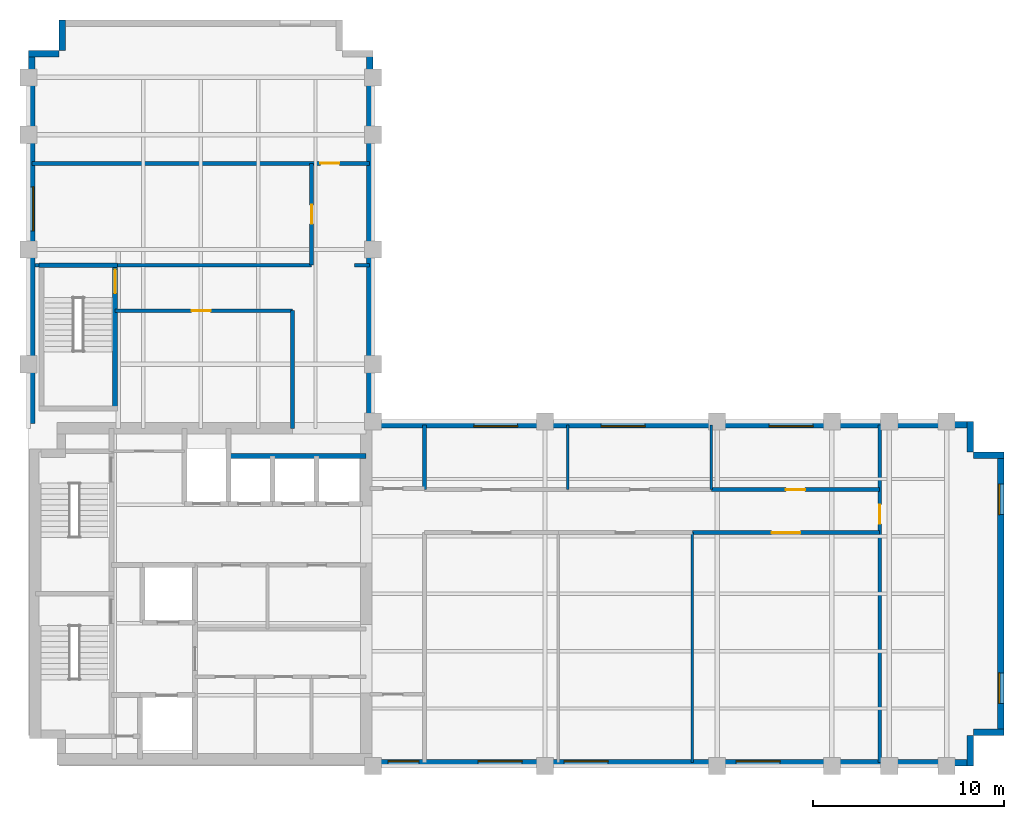
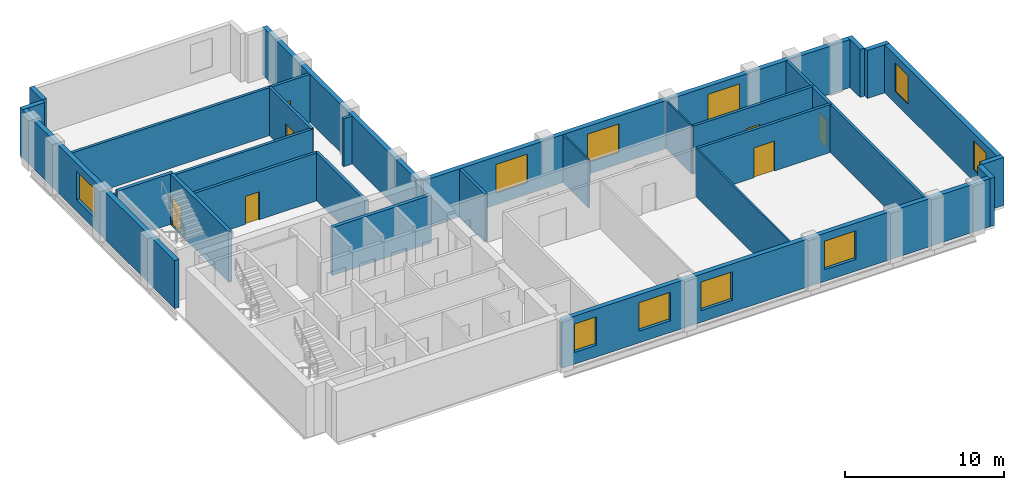
# One storey, part 4 of 6: 28 walls, 10 windows, 7 doors, 17 openings.
"""IFC4 building model written with IfcOpenShell, lengths in metres."""

from ifc_helpers import new_model, si_unit, direction, frame, frame_2d, origin, place, context, subcontext, project, spatial, rectangle, extrude, material, layer, layer_set, type_object, element, fill, save


model = new_model("IFC4")

# Units and contexts
model_context = context("Model", 3, precision=1e-05, world=origin(), true_north=direction((0.0, 1.0)))
body_context = subcontext(model_context, "Body", "Model", "MODEL_VIEW")
ifc_project = project(units=[si_unit("LENGTHUNIT", "METRE"), si_unit("AREAUNIT", "SQUARE_METRE"), si_unit("VOLUMEUNIT", "CUBIC_METRE"), si_unit("PLANEANGLEUNIT", "RADIAN"), si_unit("MASSUNIT", "GRAM", prefix="KILO")], contexts=[model_context])

# Site, building, storey
site_placement = place(None, origin())
site = spatial("IfcSite", under=ifc_project, at=site_placement, CompositionType="ELEMENT")
building_placement = place(site_placement, origin())
building = spatial("IfcBuilding", under=site, at=building_placement, Name="Mawjdan Bourse Tower", CompositionType="ELEMENT")
storey_placement = place(building_placement, frame((0.0, 0.0, 211.199951171875)))
storey = spatial("IfcBuildingStorey", under=building, at=storey_placement, Name="L51", CompositionType="ELEMENT", Elevation=211.199951171875)

# Wall, openings, windows
ifc_material_1 = material(Name="Brick Masonry Buff", Category="masonry")
ifc_layer_1 = layer(ifc_material_1, 0.340087890625)
ifc_layer_set_1 = layer_set([ifc_layer_1], Name="Brick Masonry Buff")
wall_type_1 = type_object("IfcWallType", Name="WL-BRK-SPN-340", PredefinedType="STANDARD", material=ifc_layer_set_1)
wall_1_placement = place(storey_placement, frame((23.89990234375, 3.169921875, 0.0), z_axis=(0.0, 0.0, 1.0), x_axis=(1.0, 0.0, 0.0)))
wall_1 = element("IfcWall", 1, at=wall_1_placement, inside=storey, type_object=wall_type_1, Name="L51 Exterior Brick Wall 1", PredefinedType="STANDARD", context=body_context, shape_type="SweptSolid", body=[
    extrude(rectangle(XDim=31.5, YDim=0.340087890625, at=frame_2d((15.75, 0.0))), origin(), (0.0, 0.0, 1.0), 3.699951171875),
])
opening_1_placement = place(wall_1_placement, frame((5.60009765625, 0.0, 0.89990234375)))
opening_1 = element("IfcOpeningElement", 2, at=opening_1_placement, cuts=wall_1, Name="Opening W-L51-01", PredefinedType="OPENING", context=body_context, shape_type="SweptSolid", body=[
    extrude(rectangle(XDim=2.300048828125, YDim=2.199951171875, at=frame_2d((1.14990234375, 1.10009765625))), frame((0.0, 0.18017578125, 0.0), z_axis=(0.0, -1.0, 0.0), x_axis=(1.0, 0.0, 0.0)), (0.0, 0.0, 1.0), 0.360107421875),
])
opening_2_placement = place(wall_1_placement, frame((10.10009765625, 0.0, 0.89990234375)))
opening_2 = element("IfcOpeningElement", 3, at=opening_2_placement, cuts=wall_1, Name="Opening W-L51-02", PredefinedType="OPENING", context=body_context, shape_type="SweptSolid", body=[
    extrude(rectangle(XDim=2.300048828125, YDim=2.199951171875, at=frame_2d((1.14990234375, 1.10009765625))), frame((0.0, 0.18017578125, 0.0), z_axis=(0.0, -1.0, 0.0), x_axis=(1.0, 0.0, 0.0)), (0.0, 0.0, 1.0), 0.360107421875),
])
opening_3_placement = place(wall_1_placement, frame((19.10009765625, 0.0, 0.89990234375)))
opening_3 = element("IfcOpeningElement", 4, at=opening_3_placement, cuts=wall_1, Name="Opening W-L51-03", PredefinedType="OPENING", context=body_context, shape_type="SweptSolid", body=[
    extrude(rectangle(XDim=2.300048828125, YDim=2.199951171875, at=frame_2d((1.14990234375, 1.10009765625))), frame((0.0, 0.18017578125, 0.0), z_axis=(0.0, -1.0, 0.0), x_axis=(1.0, 0.0, 0.0)), (0.0, 0.0, 1.0), 0.360107421875),
])
opening_4_placement = place(wall_1_placement, frame((0.89990234375, 0.0, 0.89990234375)))
opening_4 = element("IfcOpeningElement", 5, at=opening_4_placement, cuts=wall_1, Name="Opening W-L51-08", PredefinedType="OPENING", context=body_context, shape_type="SweptSolid", body=[
    extrude(rectangle(XDim=1.60009765625, YDim=2.199951171875, at=frame_2d((0.800048828125, 1.10009765625))), frame((0.0, 0.18017578125, 0.0), z_axis=(0.0, -1.0, 0.0), x_axis=(1.0, 0.0, 0.0)), (0.0, 0.0, 1.0), 0.360107421875),
])
ifc_material_2 = material(Name="Solar-Control Clear Double Glazing", Category="glass")
window_type_1 = type_object("IfcWindowType", Name="WN-Z3-1600", PartitioningType="SINGLE_PANEL", PredefinedType="WINDOW", material=ifc_material_2)
window_1_placement = place(opening_4_placement, origin())
window_1 = element("IfcWindow", 6, at=window_1_placement, inside=storey, type_object=window_type_1, Name="L51 Deep-Set Masonry Window W-L51-08", OverallHeight=2.199951171875, OverallWidth=1.60009765625, PartitioningType="SINGLE_PANEL", PredefinedType="WINDOW", context=body_context, shape_type="SweptSolid", body=[
    extrude(rectangle(XDim=1.60009765625, YDim=2.199951171875, at=frame_2d((0.800048828125, 1.10009765625))), frame((0.0, 0.110107421875, 0.0), z_axis=(0.0, -1.0, 0.0), x_axis=(1.0, 0.0, 0.0)), (0.0, 0.0, 1.0), 0.06005859375),
])
fill(opening_4, window_1)
window_type_2 = type_object("IfcWindowType", Name="WN-Z3-2300", PartitioningType="SINGLE_PANEL", PredefinedType="WINDOW", material=ifc_material_2)
window_2_placement = place(opening_1_placement, origin())
window_2 = element("IfcWindow", 7, at=window_2_placement, inside=storey, type_object=window_type_2, Name="L51 Deep-Set Masonry Window W-L51-01", OverallHeight=2.199951171875, OverallWidth=2.300048828125, PartitioningType="SINGLE_PANEL", PredefinedType="WINDOW", context=body_context, shape_type="SweptSolid", body=[
    extrude(rectangle(XDim=2.300048828125, YDim=2.199951171875, at=frame_2d((1.14990234375, 1.10009765625))), frame((0.0, 0.110107421875, 0.0), z_axis=(0.0, -1.0, 0.0), x_axis=(1.0, 0.0, 0.0)), (0.0, 0.0, 1.0), 0.06005859375),
])
fill(opening_1, window_2)
window_3_placement = place(opening_2_placement, origin())
window_3 = element("IfcWindow", 8, at=window_3_placement, inside=storey, type_object=window_type_2, Name="L51 Deep-Set Masonry Window W-L51-02", OverallHeight=2.199951171875, OverallWidth=2.300048828125, PartitioningType="SINGLE_PANEL", PredefinedType="WINDOW", context=body_context, shape_type="SweptSolid", body=[
    extrude(rectangle(XDim=2.300048828125, YDim=2.199951171875, at=frame_2d((1.14990234375, 1.10009765625))), frame((0.0, 0.110107421875, 0.0), z_axis=(0.0, -1.0, 0.0), x_axis=(1.0, 0.0, 0.0)), (0.0, 0.0, 1.0), 0.06005859375),
])
fill(opening_2, window_3)
window_4_placement = place(opening_3_placement, origin())
window_4 = element("IfcWindow", 9, at=window_4_placement, inside=storey, type_object=window_type_2, Name="L51 Deep-Set Masonry Window W-L51-03", OverallHeight=2.199951171875, OverallWidth=2.300048828125, PartitioningType="SINGLE_PANEL", PredefinedType="WINDOW", context=body_context, shape_type="SweptSolid", body=[
    extrude(rectangle(XDim=2.300048828125, YDim=2.199951171875, at=frame_2d((1.14990234375, 1.10009765625))), frame((0.0, 0.110107421875, 0.0), z_axis=(0.0, -1.0, 0.0), x_axis=(1.0, 0.0, 0.0)), (0.0, 0.0, 1.0), 0.06005859375),
])
fill(opening_3, window_4)

# Walls
for number, where, z_axis, x_axis, name in (
    (10, (55.22998046875, 3.0, 0.0), (0.0, 0.0, 1.0), (0.0, 1.0, 0.0), "L51 Exterior Brick Wall 2"),
    (11, (55.39990234375, 4.77001953125, 0.0), (0.0, 0.0, 1.0), (1.0, 0.0, 0.0), "L51 Exterior Brick Wall 3"),
):
    element("IfcWall", number, at=place(storey_placement, frame(where, z_axis=z_axis, x_axis=x_axis)), inside=storey, type_object=wall_type_1, Name=name, PredefinedType="STANDARD", context=body_context, shape_type="SweptSolid", body=[
        extrude(rectangle(XDim=1.60009765625, YDim=0.340087890625, at=frame_2d((0.800048828125, 0.0))), origin(), (0.0, 0.0, 1.0), 3.699951171875),
    ])

# Wall, openings, windows
wall_2_placement = place(storey_placement, frame((56.830078125, 4.60009765625, 0.0), z_axis=(0.0, 0.0, 1.0), x_axis=(0.0, 1.0, 0.0)))
wall_2 = element("IfcWall", 12, at=wall_2_placement, inside=storey, type_object=wall_type_1, Name="L51 Exterior Brick Wall 4", PredefinedType="STANDARD", context=body_context, shape_type="SweptSolid", body=[
    extrude(rectangle(XDim=14.7998046875, YDim=0.340087890625, at=frame_2d((7.39990234375, 0.0))), origin(), (0.0, 0.0, 1.0), 3.699951171875),
])
opening_5_placement = place(wall_2_placement, frame((1.666748046875, 0.0, 0.89990234375)))
opening_5 = element("IfcOpeningElement", 13, at=opening_5_placement, cuts=wall_2, Name="Opening W-L51-04", PredefinedType="OPENING", context=body_context, shape_type="SweptSolid", body=[
    extrude(rectangle(XDim=1.60009765625, YDim=2.199951171875, at=frame_2d((0.800048828125, 1.10009765625))), frame((0.0, 0.18017578125, 0.0), z_axis=(0.0, -1.0, 0.0), x_axis=(1.0, 0.0, 0.0)), (0.0, 0.0, 1.0), 0.360107421875),
])
opening_6_placement = place(wall_2_placement, frame((11.533203125, 0.0, 0.89990234375)))
opening_6 = element("IfcOpeningElement", 14, at=opening_6_placement, cuts=wall_2, Name="Opening W-L51-05", PredefinedType="OPENING", context=body_context, shape_type="SweptSolid", body=[
    extrude(rectangle(XDim=1.60009765625, YDim=2.199951171875, at=frame_2d((0.800048828125, 1.10009765625))), frame((0.0, 0.18017578125, 0.0), z_axis=(0.0, -1.0, 0.0), x_axis=(1.0, 0.0, 0.0)), (0.0, 0.0, 1.0), 0.360107421875),
])
window_5_placement = place(opening_5_placement, origin())
window_5 = element("IfcWindow", 15, at=window_5_placement, inside=storey, type_object=window_type_1, Name="L51 Deep-Set Masonry Window W-L51-04", OverallHeight=2.199951171875, OverallWidth=1.60009765625, PartitioningType="SINGLE_PANEL", PredefinedType="WINDOW", context=body_context, shape_type="SweptSolid", body=[
    extrude(rectangle(XDim=1.60009765625, YDim=2.199951171875, at=frame_2d((0.800048828125, 1.10009765625))), frame((0.0, 0.110107421875, 0.0), z_axis=(0.0, -1.0, 0.0), x_axis=(1.0, 0.0, 0.0)), (0.0, 0.0, 1.0), 0.06005859375),
])
fill(opening_5, window_5)
window_6_placement = place(opening_6_placement, origin())
window_6 = element("IfcWindow", 16, at=window_6_placement, inside=storey, type_object=window_type_1, Name="L51 Deep-Set Masonry Window W-L51-05", OverallHeight=2.199951171875, OverallWidth=1.60009765625, PartitioningType="SINGLE_PANEL", PredefinedType="WINDOW", context=body_context, shape_type="SweptSolid", body=[
    extrude(rectangle(XDim=1.60009765625, YDim=2.199951171875, at=frame_2d((0.800048828125, 1.10009765625))), frame((0.0, 0.110107421875, 0.0), z_axis=(0.0, -1.0, 0.0), x_axis=(1.0, 0.0, 0.0)), (0.0, 0.0, 1.0), 0.06005859375),
])
fill(opening_6, window_6)

# Walls
for number, where, z_axis, x_axis, name in (
    (17, (57.0, 19.22998046875, 0.0), (0.0, 0.0, 1.0), (-1.0, 0.0, 0.0), "L51 Exterior Brick Wall 5"),
    (18, (55.22998046875, 19.39990234375, 0.0), (0.0, 0.0, 1.0), (0.0, 1.0, 0.0), "L51 Exterior Brick Wall 6"),
):
    element("IfcWall", number, at=place(storey_placement, frame(where, z_axis=z_axis, x_axis=x_axis)), inside=storey, type_object=wall_type_1, Name=name, PredefinedType="STANDARD", context=body_context, shape_type="SweptSolid", body=[
        extrude(rectangle(XDim=1.60009765625, YDim=0.340087890625, at=frame_2d((0.800048828125, 0.0))), origin(), (0.0, 0.0, 1.0), 3.699951171875),
    ])

# Wall, openings, windows
wall_3_placement = place(storey_placement, frame((55.39990234375, 20.830078125, 0.0), z_axis=(0.0, 0.0, 1.0), x_axis=(-1.0, 0.0, 0.0)))
wall_3 = element("IfcWall", 19, at=wall_3_placement, inside=storey, type_object=wall_type_1, Name="L51 Exterior Brick Wall 7", PredefinedType="STANDARD", context=body_context, shape_type="SweptSolid", body=[
    extrude(rectangle(XDim=31.39990234375, YDim=0.340087890625, at=frame_2d((15.699951171875, 0.0))), origin(), (0.0, 0.0, 1.0), 3.699951171875),
])
opening_7_placement = place(wall_3_placement, frame((17.166748046875, 0.0, 0.89990234375)))
opening_7 = element("IfcOpeningElement", 20, at=opening_7_placement, cuts=wall_3, Name="Opening W-L51-06", PredefinedType="OPENING", context=body_context, shape_type="SweptSolid", body=[
    extrude(rectangle(XDim=2.300048828125, YDim=2.199951171875, at=frame_2d((1.14990234375, 1.10009765625))), frame((0.0, 0.18017578125, 0.0), z_axis=(0.0, -1.0, 0.0), x_axis=(1.0, 0.0, 0.0)), (0.0, 0.0, 1.0), 0.360107421875),
])
opening_8_placement = place(wall_3_placement, frame((23.82470703125, 0.0, 0.89990234375)))
opening_8 = element("IfcOpeningElement", 21, at=opening_8_placement, cuts=wall_3, Name="Opening W-L51-09", PredefinedType="OPENING", context=body_context, shape_type="SweptSolid", body=[
    extrude(rectangle(XDim=2.300048828125, YDim=2.199951171875, at=frame_2d((1.14990234375, 1.10009765625))), frame((0.0, 0.18017578125, 0.0), z_axis=(0.0, -1.0, 0.0), x_axis=(1.0, 0.0, 0.0)), (0.0, 0.0, 1.0), 0.360107421875),
])
opening_9_placement = place(wall_3_placement, frame((8.374755859375, 0.0, 0.89990234375)))
opening_9 = element("IfcOpeningElement", 22, at=opening_9_placement, cuts=wall_3, Name="Opening W-L51-10", PredefinedType="OPENING", context=body_context, shape_type="SweptSolid", body=[
    extrude(rectangle(XDim=2.300048828125, YDim=2.199951171875, at=frame_2d((1.14990234375, 1.10009765625))), frame((0.0, 0.18017578125, 0.0), z_axis=(0.0, -1.0, 0.0), x_axis=(1.0, 0.0, 0.0)), (0.0, 0.0, 1.0), 0.360107421875),
])
window_7_placement = place(opening_7_placement, origin())
window_7 = element("IfcWindow", 23, at=window_7_placement, inside=storey, type_object=window_type_2, Name="L51 Deep-Set Masonry Window W-L51-06", OverallHeight=2.199951171875, OverallWidth=2.300048828125, PartitioningType="SINGLE_PANEL", PredefinedType="WINDOW", context=body_context, shape_type="SweptSolid", body=[
    extrude(rectangle(XDim=2.300048828125, YDim=2.199951171875, at=frame_2d((1.14990234375, 1.10009765625))), frame((0.0, 0.110107421875, 0.0), z_axis=(0.0, -1.0, 0.0), x_axis=(1.0, 0.0, 0.0)), (0.0, 0.0, 1.0), 0.06005859375),
])
fill(opening_7, window_7)
window_8_placement = place(opening_8_placement, origin())
window_8 = element("IfcWindow", 24, at=window_8_placement, inside=storey, type_object=window_type_2, Name="L51 Deep-Set Masonry Window W-L51-09", OverallHeight=2.199951171875, OverallWidth=2.300048828125, PartitioningType="SINGLE_PANEL", PredefinedType="WINDOW", context=body_context, shape_type="SweptSolid", body=[
    extrude(rectangle(XDim=2.300048828125, YDim=2.199951171875, at=frame_2d((1.14990234375, 1.10009765625))), frame((0.0, 0.110107421875, 0.0), z_axis=(0.0, -1.0, 0.0), x_axis=(1.0, 0.0, 0.0)), (0.0, 0.0, 1.0), 0.06005859375),
])
fill(opening_8, window_8)
window_9_placement = place(opening_9_placement, origin())
window_9 = element("IfcWindow", 25, at=window_9_placement, inside=storey, type_object=window_type_2, Name="L51 Deep-Set Masonry Window W-L51-10", OverallHeight=2.199951171875, OverallWidth=2.300048828125, PartitioningType="SINGLE_PANEL", PredefinedType="WINDOW", context=body_context, shape_type="SweptSolid", body=[
    extrude(rectangle(XDim=2.300048828125, YDim=2.199951171875, at=frame_2d((1.14990234375, 1.10009765625))), frame((0.0, 0.110107421875, 0.0), z_axis=(0.0, -1.0, 0.0), x_axis=(1.0, 0.0, 0.0)), (0.0, 0.0, 1.0), 0.06005859375),
])
fill(opening_9, window_9)

# Walls
wall_4_placement = place(storey_placement, frame((23.830078125, 21.0, 0.0), z_axis=(0.0, 0.0, 1.0), x_axis=(0.0, 1.0, 0.0)))
element("IfcWall", 26, at=wall_4_placement, inside=storey, type_object=wall_type_1, Name="L51 Exterior Brick Wall 8", PredefinedType="STANDARD", context=body_context, shape_type="SweptSolid", body=[
    extrude(rectangle(XDim=19.39990234375, YDim=0.340087890625, at=frame_2d((9.699951171875, 0.0))), origin(), (0.0, 0.0, 1.0), 3.699951171875),
])
for number, where, z_axis, x_axis, name in (
    (27, (7.77001953125, 42.0, 0.0), (0.0, 0.0, 1.0), (0.0, -1.0, 0.0), "L51 Exterior Brick Wall 12"),
    (28, (7.60009765625, 40.22998046875, 0.0), (0.0, 0.0, 1.0), (-1.0, 0.0, 0.0), "L51 Exterior Brick Wall 13"),
):
    element("IfcWall", number, at=place(storey_placement, frame(where, z_axis=z_axis, x_axis=x_axis)), inside=storey, type_object=wall_type_1, Name=name, PredefinedType="STANDARD", context=body_context, shape_type="SweptSolid", body=[
        extrude(rectangle(XDim=1.60009765625, YDim=0.340087890625, at=frame_2d((0.800048828125, 0.0))), origin(), (0.0, 0.0, 1.0), 3.699951171875),
    ])

# Wall, opening, window
wall_5_placement = place(storey_placement, frame((6.169921875, 40.39990234375, 0.0), z_axis=(0.0, 0.0, 1.0), x_axis=(0.0, -1.0, 0.0)))
wall_5 = element("IfcWall", 29, at=wall_5_placement, inside=storey, type_object=wall_type_1, Name="L51 Exterior Brick Wall 14", PredefinedType="STANDARD", context=body_context, shape_type="SweptSolid", body=[
    extrude(rectangle(XDim=19.5, YDim=0.340087890625, at=frame_2d((9.75, 0.0))), origin(), (0.0, 0.0, 1.0), 3.699951171875),
])
opening_10_placement = place(wall_5_placement, frame((7.124755859375, 0.0, 0.89990234375)))
opening_10 = element("IfcOpeningElement", 30, at=opening_10_placement, cuts=wall_5, Name="Opening W-L51-11", PredefinedType="OPENING", context=body_context, shape_type="SweptSolid", body=[
    extrude(rectangle(XDim=2.300048828125, YDim=2.199951171875, at=frame_2d((1.14990234375, 1.10009765625))), frame((0.0, 0.18017578125, 0.0), z_axis=(0.0, -1.0, 0.0), x_axis=(1.0, 0.0, 0.0)), (0.0, 0.0, 1.0), 0.360107421875),
])
window_10_placement = place(opening_10_placement, origin())
window_10 = element("IfcWindow", 31, at=window_10_placement, inside=storey, type_object=window_type_2, Name="L51 Deep-Set Masonry Window W-L51-11", OverallHeight=2.199951171875, OverallWidth=2.300048828125, PartitioningType="SINGLE_PANEL", PredefinedType="WINDOW", context=body_context, shape_type="SweptSolid", body=[
    extrude(rectangle(XDim=2.300048828125, YDim=2.199951171875, at=frame_2d((1.14990234375, 1.10009765625))), frame((0.0, 0.110107421875, 0.0), z_axis=(0.0, -1.0, 0.0), x_axis=(1.0, 0.0, 0.0)), (0.0, 0.0, 1.0), 0.06005859375),
])
fill(opening_10, window_10)

# Wall
ifc_material_3 = material(Name="Gypsum Fireboard Assembly")
ifc_layer_2 = layer(ifc_material_3, 0.199951171875)
ifc_layer_set_2 = layer_set([ifc_layer_2], Name="Gypsum Fireboard Assembly")
wall_type_2 = type_object("IfcWallType", Name="WL-CMP-200", PredefinedType="PARTITIONING", material=ifc_layer_set_2)
wall_6_placement = place(storey_placement, frame((26.699951171875, 17.449951171875, 0.0), z_axis=(0.0, 0.0, 1.0), x_axis=(0.0, 1.0, 0.0)))
element("IfcWall", 32, at=wall_6_placement, inside=storey, type_object=wall_type_2, Name="L51 Vestibule North East Wall", PredefinedType="PARTITIONING", context=body_context, shape_type="SweptSolid", body=[
    extrude(rectangle(XDim=3.3701171875, YDim=0.199951171875, at=frame_2d((1.68505859375, 0.0))), origin(), (0.0, 0.0, 1.0), 3.68994140625),
])

# Wall, opening, door
wall_7_placement = place(storey_placement, frame((40.699951171875, 15.199951171875, 0.0), z_axis=(0.0, 0.0, 1.0), x_axis=(1.0, 0.0, 0.0)))
wall_7 = element("IfcWall", 33, at=wall_7_placement, inside=storey, type_object=wall_type_2, Name="L51 Conference Room Corridor Wall", PredefinedType="PARTITIONING", context=body_context, shape_type="SweptSolid", body=[
    extrude(rectangle(XDim=9.800048828125, YDim=0.199951171875, at=frame_2d((4.89990234375, 0.0))), origin(), (0.0, 0.0, 1.0), 3.68994140625),
])
opening_11_placement = place(wall_7_placement, frame((4.14990234375, 0.0, 0.0)))
opening_11 = element("IfcOpeningElement", 34, at=opening_11_placement, cuts=wall_7, Name="Opening D-L51-24", PredefinedType="OPENING", context=body_context, shape_type="SweptSolid", body=[
    extrude(rectangle(XDim=1.5, YDim=2.300048828125, at=frame_2d((0.75, 1.14990234375))), frame((0.0, 0.10986328125, 0.0), z_axis=(0.0, -1.0, 0.0), x_axis=(1.0, 0.0, 0.0)), (0.0, 0.0, 1.0), 0.219970703125),
])
ifc_material_4 = material(Name="Acoustic Glazed Timber", Category="wood")
door_type_1 = type_object("IfcDoorType", Name="DR-CNF-1500", OperationType="DOUBLE_DOOR_SINGLE_SWING", PredefinedType="DOOR", material=ifc_material_4)
door_1_placement = place(opening_11_placement, origin())
door_1 = element("IfcDoor", 35, at=door_1_placement, inside=storey, type_object=door_type_1, Name="L51 Conference Room Door D-L51-24", OperationType="DOUBLE_DOOR_SINGLE_SWING", OverallHeight=2.300048828125, OverallWidth=1.5, PredefinedType="DOOR", context=body_context, shape_type="SweptSolid", body=[
    extrude(rectangle(XDim=1.5, YDim=2.300048828125, at=frame_2d((0.75, 1.14990234375))), frame((0.0, 0.02490234375, 0.0), z_axis=(0.0, -1.0, 0.0), x_axis=(1.0, 0.0, 0.0)), (0.0, 0.0, 1.0), 0.050048828125),
])
fill(opening_11, door_1)

wall_8_placement = place(storey_placement, frame((41.699951171875, 17.449951171875, 0.0), z_axis=(0.0, 0.0, 1.0), x_axis=(1.0, 0.0, 0.0)))
wall_8 = element("IfcWall", 36, at=wall_8_placement, inside=storey, type_object=wall_type_2, Name="L51 Document Store Corridor Wall", PredefinedType="PARTITIONING", context=body_context, shape_type="SweptSolid", body=[
    extrude(rectangle(XDim=8.800048828125, YDim=0.199951171875, at=frame_2d((4.39990234375, 0.0))), origin(), (0.0, 0.0, 1.0), 3.68994140625),
])
opening_12_placement = place(wall_8_placement, frame((3.89990234375, 0.0, 0.0)))
opening_12 = element("IfcOpeningElement", 37, at=opening_12_placement, cuts=wall_8, Name="Opening D-L51-27", PredefinedType="OPENING", context=body_context, shape_type="SweptSolid", body=[
    extrude(rectangle(XDim=1.0, YDim=2.14990234375, at=frame_2d((0.5, 1.074951171875))), frame((0.0, 0.10986328125, 0.0), z_axis=(0.0, -1.0, 0.0), x_axis=(1.0, 0.0, 0.0)), (0.0, 0.0, 1.0), 0.219970703125),
])
ifc_material_5 = material(Name="Hardwood Acoustic Leaf", Category="wood")
door_type_2 = type_object("IfcDoorType", Name="DR-OFC-1000", OperationType="NOTDEFINED", PredefinedType="DOOR", material=ifc_material_5)
door_2_placement = place(opening_12_placement, origin())
door_2 = element("IfcDoor", 38, at=door_2_placement, inside=storey, type_object=door_type_2, Name="L51 Document Store Door D-L51-27", OperationType="SINGLE_SWING_LEFT", OverallHeight=2.14990234375, OverallWidth=1.0, PredefinedType="DOOR", context=body_context, shape_type="SweptSolid", body=[
    extrude(rectangle(XDim=1.0, YDim=2.14990234375, at=frame_2d((0.5, 1.074951171875))), frame((0.0, 0.02490234375, 0.0), z_axis=(0.0, -1.0, 0.0), x_axis=(1.0, 0.0, 0.0)), (0.0, 0.0, 1.0), 0.050048828125),
])
fill(opening_12, door_2)

wall_9_placement = place(storey_placement, frame((50.5, 3.179931640625, 0.0), z_axis=(0.0, 0.0, 1.0), x_axis=(0.0, 1.0, 0.0)))
wall_9 = element("IfcWall", 39, at=wall_9_placement, inside=storey, type_object=wall_type_2, Name="L51 East Tip Full Cross Wall", PredefinedType="PARTITIONING", context=body_context, shape_type="SweptSolid", body=[
    extrude(rectangle(XDim=17.64013671875, YDim=0.199951171875, at=frame_2d((8.820068359375, 0.0))), origin(), (0.0, 0.0, 1.0), 3.68994140625),
])
opening_13_placement = place(wall_9_placement, frame((12.47509765625, 0.0, 0.0)))
opening_13 = element("IfcOpeningElement", 40, at=opening_13_placement, cuts=wall_9, Name="Opening D-L51-28", PredefinedType="OPENING", context=body_context, shape_type="SweptSolid", body=[
    extrude(rectangle(XDim=1.0, YDim=2.14990234375, at=frame_2d((0.5, 1.074951171875))), frame((0.0, 0.10986328125, 0.0), z_axis=(0.0, -1.0, 0.0), x_axis=(1.0, 0.0, 0.0)), (0.0, 0.0, 1.0), 0.219970703125),
])
door_3_placement = place(opening_13_placement, origin())
door_3 = element("IfcDoor", 41, at=door_3_placement, inside=storey, type_object=door_type_2, Name="L51 East Tip Hall Door D-L51-28", OperationType="SINGLE_SWING_RIGHT", OverallHeight=2.14990234375, OverallWidth=1.0, PredefinedType="DOOR", context=body_context, shape_type="SweptSolid", body=[
    extrude(rectangle(XDim=1.0, YDim=2.14990234375, at=frame_2d((0.5, 1.074951171875))), frame((0.0, 0.02490234375, 0.0), z_axis=(0.0, -1.0, 0.0), x_axis=(1.0, 0.0, 0.0)), (0.0, 0.0, 1.0), 0.050048828125),
])
fill(opening_13, door_3)

wall_10_placement = place(storey_placement, frame((10.52001953125, 26.800048828125, 0.0), z_axis=(0.0, 0.0, 1.0), x_axis=(1.0, 0.0, 0.0)))
wall_10 = element("IfcWall", 42, at=wall_10_placement, inside=storey, type_object=wall_type_2, Name="L51 North Throat North Wall", PredefinedType="PARTITIONING", context=body_context, shape_type="SweptSolid", body=[
    extrude(rectangle(XDim=9.280029296875, YDim=0.199951171875, at=frame_2d((4.64013671875, 0.0))), origin(), (0.0, 0.0, 1.0), 3.68994140625),
])
opening_14_placement = place(wall_10_placement, frame((4.0, 0.0, 0.0)))
opening_14 = element("IfcOpeningElement", 43, at=opening_14_placement, cuts=wall_10, Name="Opening D-L51-29", PredefinedType="OPENING", context=body_context, shape_type="SweptSolid", body=[
    extrude(rectangle(XDim=1.0, YDim=2.14990234375, at=frame_2d((0.5, 1.074951171875))), frame((0.0, 0.10986328125, 0.0), z_axis=(0.0, -1.0, 0.0), x_axis=(1.0, 0.0, 0.0)), (0.0, 0.0, 1.0), 0.219970703125),
])
door_4_placement = place(opening_14_placement, origin())
door_4 = element("IfcDoor", 44, at=door_4_placement, inside=storey, type_object=door_type_2, Name="L51 North Throat Suite Door D-L51-29", OperationType="SINGLE_SWING_LEFT", OverallHeight=2.14990234375, OverallWidth=1.0, PredefinedType="DOOR", context=body_context, shape_type="SweptSolid", body=[
    extrude(rectangle(XDim=1.0, YDim=2.14990234375, at=frame_2d((0.5, 1.074951171875))), frame((0.0, 0.02490234375, 0.0), z_axis=(0.0, -1.0, 0.0), x_axis=(1.0, 0.0, 0.0)), (0.0, 0.0, 1.0), 0.050048828125),
])
fill(opening_14, door_4)

# Walls
wall_11_placement = place(storey_placement, frame((19.800048828125, 20.64990234375, 0.0), z_axis=(0.0, 0.0, 1.0), x_axis=(0.0, 1.0, 0.0)))
element("IfcWall", 45, at=wall_11_placement, inside=storey, type_object=wall_type_2, Name="L51 North Throat East Wall", PredefinedType="PARTITIONING", context=body_context, shape_type="SweptSolid", body=[
    extrude(rectangle(XDim=6.150146484375, YDim=0.199951171875, at=frame_2d((3.0751953125, 0.0))), origin(), (0.0, 0.0, 1.0), 3.68994140625),
])
wall_12_placement = place(storey_placement, frame((6.340087890625, 29.179931640625, 0.0), z_axis=(0.0, 0.0, 1.0), x_axis=(1.0, 0.0, 0.0)))
element("IfcWall", 46, at=wall_12_placement, inside=storey, type_object=wall_type_2, Name="L51 North West Band ST3 West Return", PredefinedType="PARTITIONING", context=body_context, shape_type="SweptSolid", body=[
    extrude(rectangle(XDim=0.21484375, YDim=0.199951171875, at=frame_2d((0.107421875, 0.0))), origin(), (0.0, 0.0, 1.0), 3.68994140625),
])
wall_13_placement = place(storey_placement, frame((10.6298828125, 29.179931640625, 0.0), z_axis=(0.0, 0.0, 1.0), x_axis=(1.0, 0.0, 0.0)))
element("IfcWall", 47, at=wall_13_placement, inside=storey, type_object=wall_type_2, Name="L51 North West Band South Wall", PredefinedType="PARTITIONING", context=body_context, shape_type="SweptSolid", body=[
    extrude(rectangle(XDim=10.170166015625, YDim=0.199951171875, at=frame_2d((5.0849609375, 0.0))), origin(), (0.0, 0.0, 1.0), 3.68994140625),
])
wall_14_placement = place(storey_placement, frame((23.050048828125, 29.179931640625, 0.0), z_axis=(0.0, 0.0, 1.0), x_axis=(1.0, 0.0, 0.0)))
element("IfcWall", 48, at=wall_14_placement, inside=storey, type_object=wall_type_2, Name="L51 North East Band South Wall", PredefinedType="PARTITIONING", context=body_context, shape_type="SweptSolid", body=[
    extrude(rectangle(XDim=0.77001953125, YDim=0.199951171875, at=frame_2d((0.385009765625, 0.0))), origin(), (0.0, 0.0, 1.0), 3.68994140625),
])

# Wall, opening, door
wall_15_placement = place(storey_placement, frame((20.800048828125, 29.179931640625, 0.0), z_axis=(0.0, 0.0, 1.0), x_axis=(0.0, 1.0, 0.0)))
wall_15 = element("IfcWall", 49, at=wall_15_placement, inside=storey, type_object=wall_type_2, Name="L51 Executive Office Corridor Wall", PredefinedType="PARTITIONING", context=body_context, shape_type="SweptSolid", body=[
    extrude(rectangle(XDim=5.320068359375, YDim=0.199951171875, at=frame_2d((2.66015625, 0.0))), origin(), (0.0, 0.0, 1.0), 3.68994140625),
])
opening_15_placement = place(wall_15_placement, frame((2.159912109375, 0.0, 0.0)))
opening_15 = element("IfcOpeningElement", 50, at=opening_15_placement, cuts=wall_15, Name="Opening D-L51-30", PredefinedType="OPENING", context=body_context, shape_type="SweptSolid", body=[
    extrude(rectangle(XDim=1.0, YDim=2.14990234375, at=frame_2d((0.5, 1.074951171875))), frame((0.0, 0.10986328125, 0.0), z_axis=(0.0, -1.0, 0.0), x_axis=(1.0, 0.0, 0.0)), (0.0, 0.0, 1.0), 0.219970703125),
])
door_5_placement = place(opening_15_placement, origin())
door_5 = element("IfcDoor", 51, at=door_5_placement, inside=storey, type_object=door_type_2, Name="L51 Executive Office Door D-L51-30", OperationType="SINGLE_SWING_RIGHT", OverallHeight=2.14990234375, OverallWidth=1.0, PredefinedType="DOOR", context=body_context, shape_type="SweptSolid", body=[
    extrude(rectangle(XDim=1.0, YDim=2.14990234375, at=frame_2d((0.5, 1.074951171875))), frame((0.0, 0.02490234375, 0.0), z_axis=(0.0, -1.0, 0.0), x_axis=(1.0, 0.0, 0.0)), (0.0, 0.0, 1.0), 0.050048828125),
])
fill(opening_15, door_5)

wall_16_placement = place(storey_placement, frame((6.179931640625, 34.5, 0.0), z_axis=(0.0, 0.0, 1.0), x_axis=(1.0, 0.0, 0.0)))
wall_16 = element("IfcWall", 52, at=wall_16_placement, inside=storey, type_object=wall_type_2, Name="L51 North Tip Full Cross Wall", PredefinedType="PARTITIONING", context=body_context, shape_type="SweptSolid", body=[
    extrude(rectangle(XDim=17.64013671875, YDim=0.199951171875, at=frame_2d((8.820068359375, 0.0))), origin(), (0.0, 0.0, 1.0), 3.68994140625),
])
opening_16_placement = place(wall_16_placement, frame((15.074951171875, 0.0, 0.0)))
opening_16 = element("IfcOpeningElement", 53, at=opening_16_placement, cuts=wall_16, Name="Opening D-L51-31", PredefinedType="OPENING", context=body_context, shape_type="SweptSolid", body=[
    extrude(rectangle(XDim=1.0, YDim=2.14990234375, at=frame_2d((0.5, 1.074951171875))), frame((0.0, 0.10986328125, 0.0), z_axis=(0.0, -1.0, 0.0), x_axis=(1.0, 0.0, 0.0)), (0.0, 0.0, 1.0), 0.219970703125),
])
door_6_placement = place(opening_16_placement, origin())
door_6 = element("IfcDoor", 54, at=door_6_placement, inside=storey, type_object=door_type_2, Name="L51 North Tip Suite Door D-L51-31", OperationType="SINGLE_SWING_LEFT", OverallHeight=2.14990234375, OverallWidth=1.0, PredefinedType="DOOR", context=body_context, shape_type="SweptSolid", body=[
    extrude(rectangle(XDim=1.0, YDim=2.14990234375, at=frame_2d((0.5, 1.074951171875))), frame((0.0, 0.02490234375, 0.0), z_axis=(0.0, -1.0, 0.0), x_axis=(1.0, 0.0, 0.0)), (0.0, 0.0, 1.0), 0.050048828125),
])
fill(opening_16, door_6)

# Walls
ifc_material_6 = material(Name="Gypsum Partition")
ifc_layer_3 = layer(ifc_material_6, 0.125)
ifc_layer_set_3 = layer_set([ifc_layer_3], Name="Gypsum Partition")
wall_type_3 = type_object("IfcWallType", Name="WL-PRT-125", PredefinedType="PARTITIONING", material=ifc_layer_set_3)
wall_17_placement = place(storey_placement, frame((40.699951171875, 3.179931640625, 0.0), z_axis=(0.0, 0.0, 1.0), x_axis=(0.0, 1.0, 0.0)))
element("IfcWall", 55, at=wall_17_placement, inside=storey, type_object=wall_type_3, Name="L51 Conference Room Partition", PredefinedType="PARTITIONING", context=body_context, shape_type="SweptSolid", body=[
    extrude(rectangle(XDim=12.02001953125, YDim=0.125, at=frame_2d((6.010009765625, 0.0))), origin(), (0.0, 0.0, 1.0), 3.68994140625),
])
for number, where, z_axis, x_axis, name in (
    (56, (34.199951171875, 17.449951171875, 0.0), (0.0, 0.0, 1.0), (0.0, 1.0, 0.0), "L51 ESG Research Library Partition"),
    (57, (41.699951171875, 17.449951171875, 0.0), (0.0, 0.0, 1.0), (0.0, 1.0, 0.0), "L51 Document Store Partition"),
):
    element("IfcWall", number, at=place(storey_placement, frame(where, z_axis=z_axis, x_axis=x_axis)), inside=storey, type_object=wall_type_3, Name=name, PredefinedType="PARTITIONING", context=body_context, shape_type="SweptSolid", body=[
        extrude(rectangle(XDim=3.3701171875, YDim=0.125, at=frame_2d((1.68505859375, 0.0))), origin(), (0.0, 0.0, 1.0), 3.68994140625),
    ])
ifc_material_7 = material(Name="Concrete C50/60", Category="concrete")
ifc_layer_4 = layer(ifc_material_7, 0.25)
ifc_layer_set_4 = layer_set([ifc_layer_4], Name="Concrete C50/60")
wall_type_4 = type_object("IfcWallType", Name="WL-SHFT-250", PredefinedType="PARTITIONING", material=ifc_layer_set_4)
wall_18_placement = place(storey_placement, frame((16.449951171875, 19.199951171875, 0.0), z_axis=(0.0, 0.0, 1.0), x_axis=(1.0, 0.0, 0.0)))
element("IfcWall", 58, at=wall_18_placement, inside=storey, type_object=wall_type_4, Name="L51 PH Bank North Shaft Back Wall", PredefinedType="PARTITIONING", context=body_context, shape_type="SweptSolid", body=[
    extrude(rectangle(XDim=7.199951171875, YDim=0.25, at=frame_2d((3.60009765625, 0.0))), origin(), (0.0, 0.0, 1.0), 3.68994140625),
])
ifc_layer_5 = layer(ifc_material_7, 0.25)
ifc_layer_set_5 = layer_set([ifc_layer_5], Name="Concrete C50/60")
wall_type_5 = type_object("IfcWallType", Name="WL-STRW-250", PredefinedType="SHEAR", material=ifc_layer_set_5)
wall_19_placement = place(storey_placement, frame((6.554931640625, 29.179931640625, 0.0), z_axis=(0.0, 0.0, 1.0), x_axis=(1.0, 0.0, 0.0)))
element("IfcWall", 59, at=wall_19_placement, inside=storey, type_object=wall_type_5, Name="L51 ST3 North Shaft Wall", PredefinedType="SHEAR", context=body_context, shape_type="SweptSolid", body=[
    extrude(rectangle(XDim=4.090087890625, YDim=0.25, at=frame_2d((2.044921875, 0.0))), origin(), (0.0, 0.0, 1.0), 3.900146484375),
])

# Wall, opening, door
wall_20_placement = place(storey_placement, frame((10.52001953125, 21.679931640625, 0.0), z_axis=(0.0, 0.0, 1.0), x_axis=(0.0, 1.0, 0.0)))
wall_20 = element("IfcWall", 60, at=wall_20_placement, inside=storey, type_object=wall_type_5, Name="L51 ST3 East Shaft Wall", PredefinedType="SHEAR", context=body_context, shape_type="SweptSolid", body=[
    extrude(rectangle(XDim=7.5, YDim=0.25, at=frame_2d((3.75, 0.0))), origin(), (0.0, 0.0, 1.0), 3.900146484375),
])
opening_17_placement = place(wall_20_placement, frame((6.02001953125, 0.0, 0.0)))
opening_17 = element("IfcOpeningElement", 61, at=opening_17_placement, cuts=wall_20, Name="Opening SD-L51-19", PredefinedType="OPENING", context=body_context, shape_type="SweptSolid", body=[
    extrude(rectangle(XDim=1.25, YDim=2.199951171875, at=frame_2d((0.625, 1.10009765625))), frame((0.0, 0.135009765625, 0.0), z_axis=(0.0, -1.0, 0.0), x_axis=(1.0, 0.0, 0.0)), (0.0, 0.0, 1.0), 0.27001953125),
])
ifc_material_8 = material(Name="Fire-Rated Steel Leaf", Category="steel")
door_type_3 = type_object("IfcDoorType", Name="FD-ST-1250", OperationType="NOTDEFINED", PredefinedType="DOOR", material=ifc_material_8)
door_7_placement = place(opening_17_placement, origin())
door_7 = element("IfcDoor", 62, at=door_7_placement, inside=storey, type_object=door_type_3, Name="L51 Stair ST3 Fire Door SD-L51-19", OperationType="SINGLE_SWING_RIGHT", OverallHeight=2.199951171875, OverallWidth=1.25, PredefinedType="DOOR", context=body_context, shape_type="SweptSolid", body=[
    extrude(rectangle(XDim=1.25, YDim=2.199951171875, at=frame_2d((0.625, 1.10009765625))), frame((0.0, 0.02490234375, 0.0), z_axis=(0.0, -1.0, 0.0), x_axis=(1.0, 0.0, 0.0)), (0.0, 0.0, 1.0), 0.050048828125),
])
fill(opening_17, door_7)

save(model, "model.ifc")
